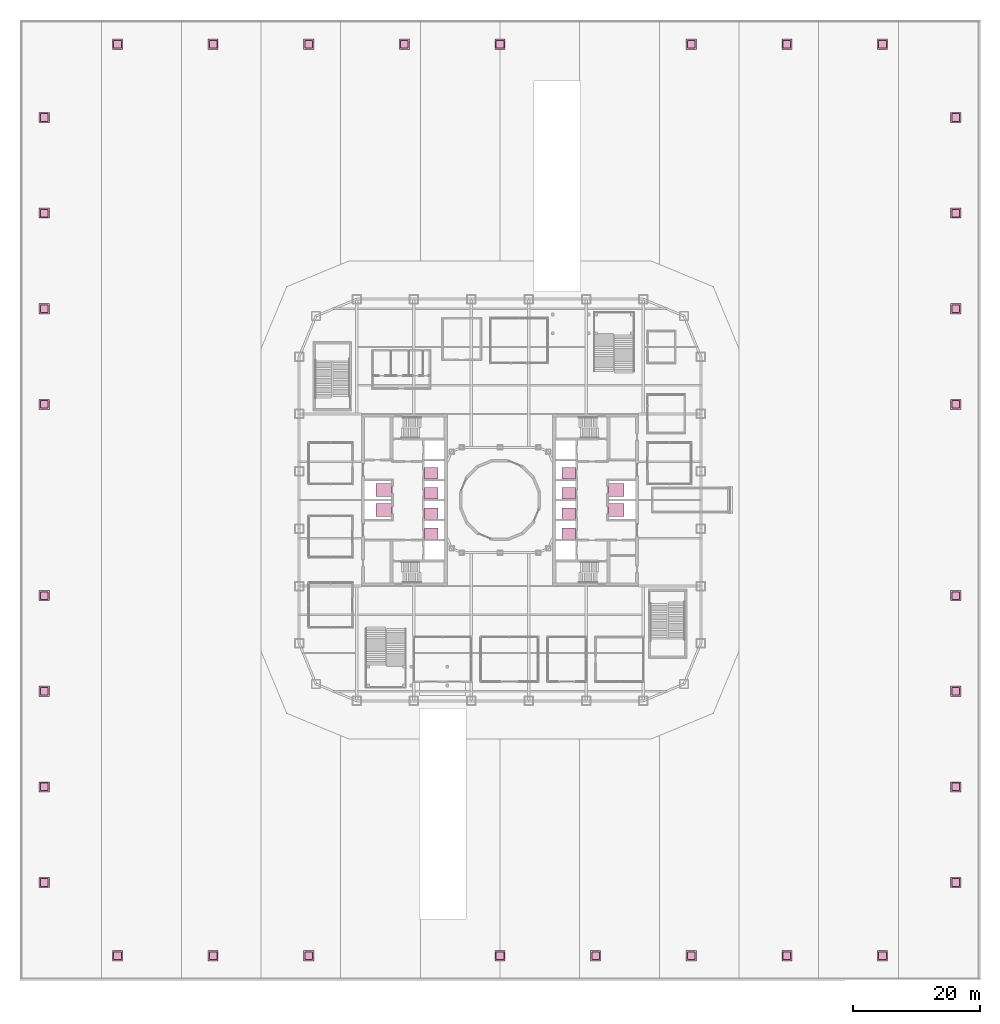
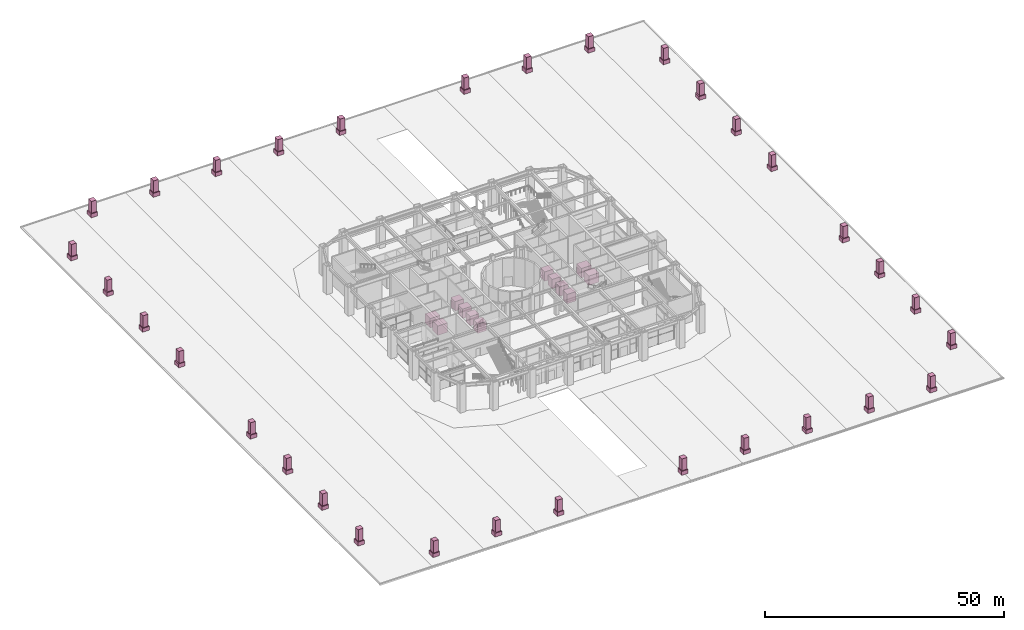
# One storey, part 20 of 20: 64 furnishings, 12 transport elements.
"""IFC4 building model written with IfcOpenShell, lengths in metres."""

from ifc_helpers import new_model, si_unit, direction, frame, origin, origin_2d, place, context, subcontext, project, spatial, rectangle, extrude, material, type_object, element, save


model = new_model("IFC4")

# Units and contexts
model_context = context("Model", 3, precision=1e-05, world=origin(), true_north=direction((0.0, 1.0)))
body_context = subcontext(model_context, "Body", "Model", "MODEL_VIEW")
ifc_project = project(units=[si_unit("LENGTHUNIT", "METRE"), si_unit("AREAUNIT", "SQUARE_METRE"), si_unit("VOLUMEUNIT", "CUBIC_METRE"), si_unit("PLANEANGLEUNIT", "RADIAN"), si_unit("MASSUNIT", "GRAM", prefix="KILO")], contexts=[model_context])

# Site, building, storey
site_placement = place(None, origin())
site = spatial("IfcSite", under=ifc_project, at=site_placement, CompositionType="ELEMENT")
building_placement = place(site_placement, origin())
building = spatial("IfcBuilding", under=site, at=building_placement, Name="Siwar Civic Tower", CompositionType="ELEMENT")
storey_placement = place(building_placement, origin())
storey = spatial("IfcBuildingStorey", under=building, at=storey_placement, Name="L00", CompositionType="ELEMENT", Elevation=0.0)

# Transport elements
ifc_material_1 = material(Name="Brushed stainless steel", Category="steel")
transport_element_type_1 = type_object("IfcTransportElementType", Name="CORE-LIFT-LR", PredefinedType="ELEVATOR", material=ifc_material_1)
for number, where, z_axis, x_axis, name in (
    (1, (-10.800048828125, -5.27490234375, 0.0), (0.0, 0.0, 1.0), (1.0, 0.0, 0.0), "Lift LR1"),
    (2, (-10.800048828125, -2.125, 0.0), (0.0, 0.0, 1.0), (1.0, 0.0, 0.0), "Lift LR2"),
    (3, (-10.800048828125, 1.02490234375, 0.0), (0.0, 0.0, 1.0), (1.0, 0.0, 0.0), "Lift LR3"),
    (4, (-10.800048828125, 4.175048828125, 0.0), (0.0, 0.0, 1.0), (1.0, 0.0, 0.0), "Lift LR4"),
    (5, (10.800048828125, -5.27490234375, 0.0), (0.0, 0.0, 1.0), (1.0, 0.0, 0.0), "Lift LR5"),
    (6, (10.800048828125, -2.125, 0.0), (0.0, 0.0, 1.0), (1.0, 0.0, 0.0), "Lift LR6"),
    (7, (10.800048828125, 1.02490234375, 0.0), (0.0, 0.0, 1.0), (1.0, 0.0, 0.0), "Lift LR7"),
    (8, (10.800048828125, 4.175048828125, 0.0), (0.0, 0.0, 1.0), (1.0, 0.0, 0.0), "Lift LR8"),
):
    element("IfcTransportElement", number, at=place(storey_placement, frame(where, z_axis=z_axis, x_axis=x_axis)), inside=storey, type_object=transport_element_type_1, Name=name, PredefinedType="ELEVATOR", context=body_context, shape_type="SweptSolid", body=[
        extrude(rectangle(XDim=2.10009765625, YDim=1.800048828125, at=origin_2d()), origin(), (0.0, 0.0, 1.0), 2.39990234375),
    ])
ifc_material_2 = material(Name="Brushed stainless steel", Category="steel")
transport_element_type_2 = type_object("IfcTransportElementType", Name="CORE-LIFT-SH", PredefinedType="ELEVATOR", material=ifc_material_2)
for number, where, z_axis, x_axis, name in (
    (9, (-18.25, -1.574951171875, 0.0), (0.0, 0.0, 1.0), (1.0, 0.0, 0.0), "Lift SH1"),
    (10, (-18.25, 1.574951171875, 0.0), (0.0, 0.0, 1.0), (1.0, 0.0, 0.0), "Lift SH2"),
    (11, (18.25, -1.574951171875, 0.0), (0.0, 0.0, 1.0), (1.0, 0.0, 0.0), "Lift SH3"),
    (12, (18.25, 1.574951171875, 0.0), (0.0, 0.0, 1.0), (1.0, 0.0, 0.0), "Lift SH4"),
):
    element("IfcTransportElement", number, at=place(storey_placement, frame(where, z_axis=z_axis, x_axis=x_axis)), inside=storey, type_object=transport_element_type_2, Name=name, PredefinedType="ELEVATOR", context=body_context, shape_type="SweptSolid", body=[
        extrude(rectangle(XDim=2.39990234375, YDim=2.10009765625, at=origin_2d()), origin(), (0.0, 0.0, 1.0), 2.39990234375),
    ])

# Furnishings
ifc_material_3 = material(Name="Concrete C40/50", Category="concrete")
furnishing_element_type_1 = type_object("IfcFurnishingElementType", Name="GND-PLANTER", material=ifc_material_3)
for number, where, z_axis, x_axis, name in (
    (13, (-71.5, -60.0, 0.0), (0.0, 0.0, 1.0), (1.0, 0.0, 0.0), "PLANTER"),
    (14, (-71.5, -45.0, 0.0), (0.0, 0.0, 1.0), (1.0, 0.0, 0.0), "PLANTER"),
    (15, (-71.5, -30.0, 0.0), (0.0, 0.0, 1.0), (1.0, 0.0, 0.0), "PLANTER"),
    (16, (-71.5, -15.0, 0.0), (0.0, 0.0, 1.0), (1.0, 0.0, 0.0), "PLANTER"),
    (17, (-71.5, 15.0, 0.0), (0.0, 0.0, 1.0), (1.0, 0.0, 0.0), "PLANTER"),
    (18, (-71.5, 30.0, 0.0), (0.0, 0.0, 1.0), (1.0, 0.0, 0.0), "PLANTER"),
    (19, (-71.5, 45.0, 0.0), (0.0, 0.0, 1.0), (1.0, 0.0, 0.0), "PLANTER"),
    (20, (-71.5, 60.0, 0.0), (0.0, 0.0, 1.0), (1.0, 0.0, 0.0), "PLANTER"),
    (21, (-60.0, -71.5, 0.0), (0.0, 0.0, 1.0), (1.0, 0.0, 0.0), "PLANTER"),
    (22, (-60.0, 71.5, 0.0), (0.0, 0.0, 1.0), (1.0, 0.0, 0.0), "PLANTER"),
    (23, (-45.0, -71.5, 0.0), (0.0, 0.0, 1.0), (1.0, 0.0, 0.0), "PLANTER"),
    (24, (-45.0, 71.5, 0.0), (0.0, 0.0, 1.0), (1.0, 0.0, 0.0), "PLANTER"),
    (25, (-30.0, -71.5, 0.0), (0.0, 0.0, 1.0), (1.0, 0.0, 0.0), "PLANTER"),
    (26, (-30.0, 71.5, 0.0), (0.0, 0.0, 1.0), (1.0, 0.0, 0.0), "PLANTER"),
    (27, (-15.0, 71.5, 0.0), (0.0, 0.0, 1.0), (1.0, 0.0, 0.0), "PLANTER"),
    (28, (0.0, -71.5, 0.0), (0.0, 0.0, 1.0), (1.0, 0.0, 0.0), "PLANTER"),
    (29, (0.0, 71.5, 0.0), (0.0, 0.0, 1.0), (1.0, 0.0, 0.0), "PLANTER"),
    (30, (15.0, -71.5, 0.0), (0.0, 0.0, 1.0), (1.0, 0.0, 0.0), "PLANTER"),
    (31, (30.0, -71.5, 0.0), (0.0, 0.0, 1.0), (1.0, 0.0, 0.0), "PLANTER"),
    (32, (30.0, 71.5, 0.0), (0.0, 0.0, 1.0), (1.0, 0.0, 0.0), "PLANTER"),
    (33, (45.0, -71.5, 0.0), (0.0, 0.0, 1.0), (1.0, 0.0, 0.0), "PLANTER"),
    (34, (45.0, 71.5, 0.0), (0.0, 0.0, 1.0), (1.0, 0.0, 0.0), "PLANTER"),
    (35, (60.0, -71.5, 0.0), (0.0, 0.0, 1.0), (1.0, 0.0, 0.0), "PLANTER"),
    (36, (60.0, 71.5, 0.0), (0.0, 0.0, 1.0), (1.0, 0.0, 0.0), "PLANTER"),
    (37, (71.5, -60.0, 0.0), (0.0, 0.0, 1.0), (1.0, 0.0, 0.0), "PLANTER"),
    (38, (71.5, -45.0, 0.0), (0.0, 0.0, 1.0), (1.0, 0.0, 0.0), "PLANTER"),
    (39, (71.5, -30.0, 0.0), (0.0, 0.0, 1.0), (1.0, 0.0, 0.0), "PLANTER"),
    (40, (71.5, -15.0, 0.0), (0.0, 0.0, 1.0), (1.0, 0.0, 0.0), "PLANTER"),
    (41, (71.5, 15.0, 0.0), (0.0, 0.0, 1.0), (1.0, 0.0, 0.0), "PLANTER"),
    (42, (71.5, 30.0, 0.0), (0.0, 0.0, 1.0), (1.0, 0.0, 0.0), "PLANTER"),
    (43, (71.5, 45.0, 0.0), (0.0, 0.0, 1.0), (1.0, 0.0, 0.0), "PLANTER"),
    (44, (71.5, 60.0, 0.0), (0.0, 0.0, 1.0), (1.0, 0.0, 0.0), "PLANTER"),
):
    element("IfcFurnishingElement", number, at=place(storey_placement, frame(where, z_axis=z_axis, x_axis=x_axis)), inside=storey, type_object=furnishing_element_type_1, Name=name, context=body_context, shape_type="SweptSolid", body=[
        extrude(rectangle(XDim=1.60009765625, YDim=1.60009765625, at=origin_2d()), origin(), (0.0, 0.0, 1.0), 1.0),
    ])
ifc_material_4 = material(Name="Planting soil and foliage")
furnishing_element_type_2 = type_object("IfcFurnishingElementType", Name="GND-TREE", material=ifc_material_4)
for number, where, z_axis, x_axis, name in (
    (45, (-71.5, -60.0, 1.0), (0.0, 0.0, 1.0), (1.0, 0.0, 0.0), "PLANTER (TREE)"),
    (46, (-71.5, -45.0, 1.0), (0.0, 0.0, 1.0), (1.0, 0.0, 0.0), "PLANTER (TREE)"),
    (47, (-71.5, -30.0, 1.0), (0.0, 0.0, 1.0), (1.0, 0.0, 0.0), "PLANTER (TREE)"),
    (48, (-71.5, -15.0, 1.0), (0.0, 0.0, 1.0), (1.0, 0.0, 0.0), "PLANTER (TREE)"),
    (49, (-71.5, 15.0, 1.0), (0.0, 0.0, 1.0), (1.0, 0.0, 0.0), "PLANTER (TREE)"),
    (50, (-71.5, 30.0, 1.0), (0.0, 0.0, 1.0), (1.0, 0.0, 0.0), "PLANTER (TREE)"),
    (51, (-71.5, 45.0, 1.0), (0.0, 0.0, 1.0), (1.0, 0.0, 0.0), "PLANTER (TREE)"),
    (52, (-71.5, 60.0, 1.0), (0.0, 0.0, 1.0), (1.0, 0.0, 0.0), "PLANTER (TREE)"),
    (53, (-60.0, -71.5, 1.0), (0.0, 0.0, 1.0), (1.0, 0.0, 0.0), "PLANTER (TREE)"),
    (54, (-60.0, 71.5, 1.0), (0.0, 0.0, 1.0), (1.0, 0.0, 0.0), "PLANTER (TREE)"),
    (55, (-45.0, -71.5, 1.0), (0.0, 0.0, 1.0), (1.0, 0.0, 0.0), "PLANTER (TREE)"),
    (56, (-45.0, 71.5, 1.0), (0.0, 0.0, 1.0), (1.0, 0.0, 0.0), "PLANTER (TREE)"),
    (57, (-30.0, -71.5, 1.0), (0.0, 0.0, 1.0), (1.0, 0.0, 0.0), "PLANTER (TREE)"),
    (58, (-30.0, 71.5, 1.0), (0.0, 0.0, 1.0), (1.0, 0.0, 0.0), "PLANTER (TREE)"),
    (59, (-15.0, 71.5, 1.0), (0.0, 0.0, 1.0), (1.0, 0.0, 0.0), "PLANTER (TREE)"),
    (60, (0.0, -71.5, 1.0), (0.0, 0.0, 1.0), (1.0, 0.0, 0.0), "PLANTER (TREE)"),
    (61, (0.0, 71.5, 1.0), (0.0, 0.0, 1.0), (1.0, 0.0, 0.0), "PLANTER (TREE)"),
    (62, (15.0, -71.5, 1.0), (0.0, 0.0, 1.0), (1.0, 0.0, 0.0), "PLANTER (TREE)"),
    (63, (30.0, -71.5, 1.0), (0.0, 0.0, 1.0), (1.0, 0.0, 0.0), "PLANTER (TREE)"),
    (64, (30.0, 71.5, 1.0), (0.0, 0.0, 1.0), (1.0, 0.0, 0.0), "PLANTER (TREE)"),
    (65, (45.0, -71.5, 1.0), (0.0, 0.0, 1.0), (1.0, 0.0, 0.0), "PLANTER (TREE)"),
    (66, (45.0, 71.5, 1.0), (0.0, 0.0, 1.0), (1.0, 0.0, 0.0), "PLANTER (TREE)"),
    (67, (60.0, -71.5, 1.0), (0.0, 0.0, 1.0), (1.0, 0.0, 0.0), "PLANTER (TREE)"),
    (68, (60.0, 71.5, 1.0), (0.0, 0.0, 1.0), (1.0, 0.0, 0.0), "PLANTER (TREE)"),
    (69, (71.5, -60.0, 1.0), (0.0, 0.0, 1.0), (1.0, 0.0, 0.0), "PLANTER (TREE)"),
    (70, (71.5, -45.0, 1.0), (0.0, 0.0, 1.0), (1.0, 0.0, 0.0), "PLANTER (TREE)"),
    (71, (71.5, -30.0, 1.0), (0.0, 0.0, 1.0), (1.0, 0.0, 0.0), "PLANTER (TREE)"),
    (72, (71.5, -15.0, 1.0), (0.0, 0.0, 1.0), (1.0, 0.0, 0.0), "PLANTER (TREE)"),
    (73, (71.5, 15.0, 1.0), (0.0, 0.0, 1.0), (1.0, 0.0, 0.0), "PLANTER (TREE)"),
    (74, (71.5, 30.0, 1.0), (0.0, 0.0, 1.0), (1.0, 0.0, 0.0), "PLANTER (TREE)"),
    (75, (71.5, 45.0, 1.0), (0.0, 0.0, 1.0), (1.0, 0.0, 0.0), "PLANTER (TREE)"),
    (76, (71.5, 60.0, 1.0), (0.0, 0.0, 1.0), (1.0, 0.0, 0.0), "PLANTER (TREE)"),
):
    element("IfcFurnishingElement", number, at=place(storey_placement, frame(where, z_axis=z_axis, x_axis=x_axis)), inside=storey, type_object=furnishing_element_type_2, Name=name, context=body_context, shape_type="SweptSolid", body=[
        extrude(rectangle(XDim=1.199951171875, YDim=1.199951171875, at=origin_2d()), origin(), (0.0, 0.0, 1.0), 3.0),
    ])

save(model, "model.ifc")
